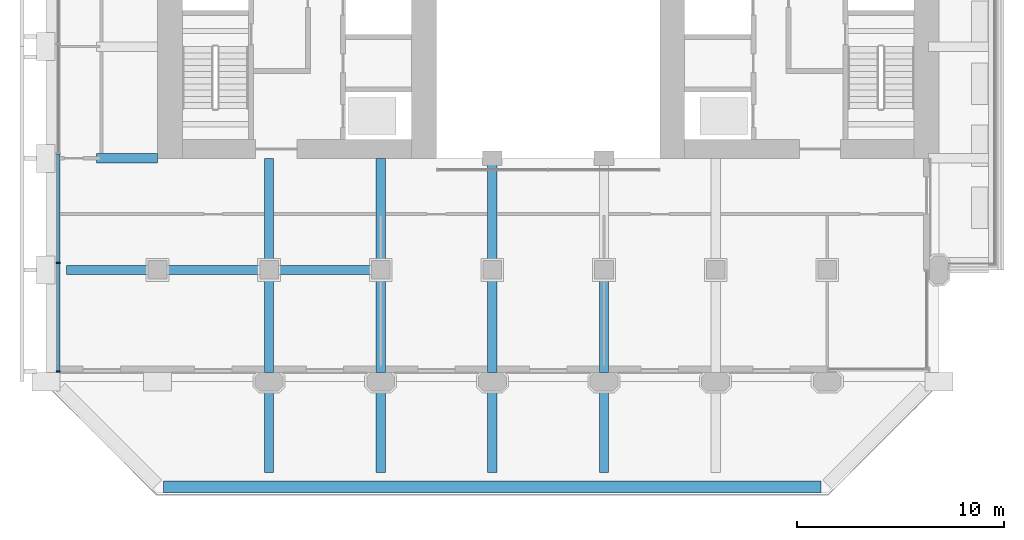
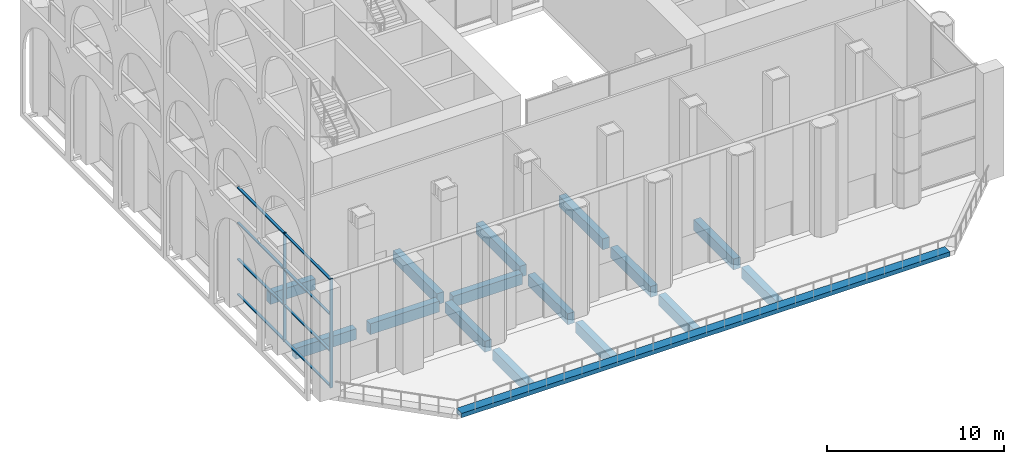
# One storey, part 2 of 20: 16 beams, 10 members, 1 element without a shape of its own.
"""IFC4 building model written with IfcOpenShell, lengths in metres."""

from ifc_helpers import new_model, si_unit, direction, frame, origin, origin_2d, place, context, subcontext, project, spatial, rectangle, extrude, material, material_profile, profile_set, type_object, element, aggregate, save


model = new_model("IFC4")

# Units and contexts
model_context = context("Model", 3, precision=1e-05, world=origin(), true_north=direction((0.0, 1.0)))
body_context = subcontext(model_context, "Body", "Model", "MODEL_VIEW")
ifc_project = project(units=[si_unit("LENGTHUNIT", "METRE"), si_unit("AREAUNIT", "SQUARE_METRE"), si_unit("VOLUMEUNIT", "CUBIC_METRE"), si_unit("PLANEANGLEUNIT", "RADIAN"), si_unit("MASSUNIT", "GRAM", prefix="KILO")], contexts=[model_context])

# Site, building, storey
site_placement = place(None, origin())
site = spatial("IfcSite", under=ifc_project, at=site_placement, CompositionType="ELEMENT")
building_placement = place(site_placement, origin())
building = spatial("IfcBuilding", under=site, at=building_placement, Name="Tabaq Tower and Sports Hall", CompositionType="ELEMENT")
storey_placement = place(building_placement, frame((0.0, 0.0, 130.60009765625)))
storey = spatial("IfcBuildingStorey", under=building, at=storey_placement, Name="L31", CompositionType="ELEMENT", Elevation=130.60009765625)

# Curtain wall, members
ifc_material_1 = material(Name="Aluminium alloy 6063-T6 framed glazing", Category="aluminium")
curtain_wall_type = type_object("IfcCurtainWallType", Name="CW2 curtain wall", PredefinedType="USERDEFINED", material=ifc_material_1)
curtain_wall_placement = place(storey_placement, origin())
curtain_wall = element("IfcCurtainWall", 1, at=curtain_wall_placement, inside=storey, type_object=curtain_wall_type, Name="Sky Lobby Wall L31 W", ObjectType="SKY LOBBY WALL", PredefinedType="USERDEFINED")
ifc_material_2 = material(Name="Aluminium alloy 6063-T6", Category="aluminium")
ifc_material_profile_1 = material_profile(ifc_material_2, rectangle(XDim=0.199951171875, YDim=0.070068359375, at=origin_2d()), Name="MULLION 200x70")
ifc_profile_set_1 = profile_set([ifc_material_profile_1], Name="Aluminium alloy 6063-T6")
member_type_1 = type_object("IfcMemberType", Name="CW2 mullion 200x70", PredefinedType="MULLION", material=ifc_profile_set_1)
member_1_placement = place(storey_placement, frame((0.60009765625, 11.14404296875, 0.0), z_axis=(0.0, 0.0, 1.0), x_axis=(1.0, 0.0, 0.0)))
member_1 = element("IfcMember", 2, at=member_1_placement, type_object=member_type_1, Name="CW2 mullion 6", PredefinedType="MULLION", context=body_context, shape_type="SweptSolid", body=[
    extrude(rectangle(XDim=0.199951171875, YDim=0.070068359375, at=origin_2d()), origin(), (0.0, 0.0, 1.0), 7.5),
])
member_2_placement = place(storey_placement, frame((0.60009765625, 5.885009765625, 0.0), z_axis=(0.0, 0.0, 1.0), x_axis=(1.0, 0.0, 0.0)))
member_2 = element("IfcMember", 3, at=member_2_placement, type_object=member_type_1, Name="CW2 mullion 7", PredefinedType="MULLION", context=body_context, shape_type="SweptSolid", body=[
    extrude(rectangle(XDim=0.199951171875, YDim=0.070068359375, at=origin_2d()), origin(), (0.0, 0.0, 1.0), 7.5),
])
ifc_material_3 = material(Name="Aluminium alloy 6063-T6", Category="aluminium")
ifc_material_profile_2 = material_profile(ifc_material_3, rectangle(XDim=0.159912109375, YDim=0.070068359375, at=origin_2d()), Name="TRANSOM 160x70")
ifc_profile_set_2 = profile_set([ifc_material_profile_2], Name="Aluminium alloy 6063-T6")
member_type_2 = type_object("IfcMemberType", Name="CW2 transom 160x70", PredefinedType="USERDEFINED", material=ifc_profile_set_2)
member_3_placement = place(storey_placement, frame((0.60009765625, 16.40283203125, 0.079833984375), z_axis=(0.0, -1.0, 0.0), x_axis=(1.0, 0.0, 0.0)))
member_3 = element("IfcMember", 4, at=member_3_placement, type_object=member_type_2, Name="CW2 transom 5.1", ObjectType="TRANSOM", PredefinedType="USERDEFINED", context=body_context, shape_type="SweptSolid", body=[
    extrude(rectangle(XDim=0.159912109375, YDim=0.070068359375, at=origin_2d()), origin(), (0.0, 0.0, 1.0), 5.223876953125),
])
member_4_placement = place(storey_placement, frame((0.60009765625, 16.40283203125, 2.5), z_axis=(0.0, -1.0, 0.0), x_axis=(1.0, 0.0, 0.0)))
member_4 = element("IfcMember", 5, at=member_4_placement, type_object=member_type_2, Name="CW2 transom 5.2", ObjectType="TRANSOM", PredefinedType="USERDEFINED", context=body_context, shape_type="SweptSolid", body=[
    extrude(rectangle(XDim=0.159912109375, YDim=0.070068359375, at=origin_2d()), origin(), (0.0, 0.0, 1.0), 5.223876953125),
])
member_5_placement = place(storey_placement, frame((0.60009765625, 16.40283203125, 5.0), z_axis=(0.0, -1.0, 0.0), x_axis=(1.0, 0.0, 0.0)))
member_5 = element("IfcMember", 6, at=member_5_placement, type_object=member_type_2, Name="CW2 transom 5.3", ObjectType="TRANSOM", PredefinedType="USERDEFINED", context=body_context, shape_type="SweptSolid", body=[
    extrude(rectangle(XDim=0.159912109375, YDim=0.070068359375, at=origin_2d()), origin(), (0.0, 0.0, 1.0), 5.223876953125),
])
member_6_placement = place(storey_placement, frame((0.60009765625, 16.40283203125, 7.419921875), z_axis=(0.0, -1.0, 0.0), x_axis=(1.0, 0.0, 0.0)))
member_6 = element("IfcMember", 7, at=member_6_placement, type_object=member_type_2, Name="CW2 transom 5.4", ObjectType="TRANSOM", PredefinedType="USERDEFINED", context=body_context, shape_type="SweptSolid", body=[
    extrude(rectangle(XDim=0.159912109375, YDim=0.070068359375, at=origin_2d()), origin(), (0.0, 0.0, 1.0), 5.223876953125),
])
member_7_placement = place(storey_placement, frame((0.60009765625, 11.10888671875, 0.079833984375), z_axis=(0.0, -1.0, 0.0), x_axis=(1.0, 0.0, 0.0)))
member_7 = element("IfcMember", 8, at=member_7_placement, type_object=member_type_2, Name="CW2 transom 6.1", ObjectType="TRANSOM", PredefinedType="USERDEFINED", context=body_context, shape_type="SweptSolid", body=[
    extrude(rectangle(XDim=0.159912109375, YDim=0.070068359375, at=origin_2d()), origin(), (0.0, 0.0, 1.0), 5.18896484375),
])
member_8_placement = place(storey_placement, frame((0.60009765625, 11.10888671875, 2.5), z_axis=(0.0, -1.0, 0.0), x_axis=(1.0, 0.0, 0.0)))
member_8 = element("IfcMember", 9, at=member_8_placement, type_object=member_type_2, Name="CW2 transom 6.2", ObjectType="TRANSOM", PredefinedType="USERDEFINED", context=body_context, shape_type="SweptSolid", body=[
    extrude(rectangle(XDim=0.159912109375, YDim=0.070068359375, at=origin_2d()), origin(), (0.0, 0.0, 1.0), 5.18896484375),
])
member_9_placement = place(storey_placement, frame((0.60009765625, 11.10888671875, 5.0), z_axis=(0.0, -1.0, 0.0), x_axis=(1.0, 0.0, 0.0)))
member_9 = element("IfcMember", 10, at=member_9_placement, type_object=member_type_2, Name="CW2 transom 6.3", ObjectType="TRANSOM", PredefinedType="USERDEFINED", context=body_context, shape_type="SweptSolid", body=[
    extrude(rectangle(XDim=0.159912109375, YDim=0.070068359375, at=origin_2d()), origin(), (0.0, 0.0, 1.0), 5.18896484375),
])
member_10_placement = place(storey_placement, frame((0.60009765625, 11.10888671875, 7.419921875), z_axis=(0.0, -1.0, 0.0), x_axis=(1.0, 0.0, 0.0)))
member_10 = element("IfcMember", 11, at=member_10_placement, type_object=member_type_2, Name="CW2 transom 6.4", ObjectType="TRANSOM", PredefinedType="USERDEFINED", context=body_context, shape_type="SweptSolid", body=[
    extrude(rectangle(XDim=0.159912109375, YDim=0.070068359375, at=origin_2d()), origin(), (0.0, 0.0, 1.0), 5.18896484375),
])
aggregate(curtain_wall, [member_1, member_2, member_3, member_4, member_5, member_6, member_7, member_8, member_9, member_10])

# Beams
ifc_material_4 = material(Name="Concrete C40/50", Category="concrete")
ifc_material_profile_3 = material_profile(ifc_material_4, rectangle(XDim=0.449951171875, YDim=0.75, at=origin_2d()), Name="CB 450x750")
ifc_profile_set_3 = profile_set([ifc_material_profile_3], Name="Concrete C40/50")
beam_type_1 = type_object("IfcBeamType", Name="PT CANTILEVER BEAM CB 450x750 C40/50", PredefinedType="BEAM", material=ifc_profile_set_3)
beam_1_placement = place(storey_placement, frame((1.0, 10.800048828125, -0.675048828125), z_axis=(1.0, 0.0, 0.0), x_axis=(0.0, 1.0, 0.0)))
element("IfcBeam", 12, at=beam_1_placement, inside=storey, type_object=beam_type_1, Name="Cantilever Beam L31 W2 span 1", PredefinedType="BEAM", context=body_context, shape_type="SweptSolid", body=[
    extrude(rectangle(XDim=0.449951171875, YDim=0.75, at=origin_2d()), origin(), (0.0, 0.0, 1.0), 3.949951171875),
])
for number, where, z_axis, x_axis, name in (
    (13, (5.85009765625, 10.800048828125, -0.675048828125), (1.0, 0.0, 0.0), (0.0, 1.0, 0.0), "Cantilever Beam L31 W2 span 2"),
    (14, (11.25, 10.800048828125, -0.675048828125), (1.0, 0.0, 0.0), (0.0, 1.0, 0.0), "Cantilever Beam L31 W2 span 3"),
):
    element("IfcBeam", number, at=place(storey_placement, frame(where, z_axis=z_axis, x_axis=x_axis)), inside=storey, type_object=beam_type_1, Name=name, PredefinedType="BEAM", context=body_context, shape_type="SweptSolid", body=[
        extrude(rectangle(XDim=0.449951171875, YDim=0.75, at=origin_2d()), origin(), (0.0, 0.0, 1.0), 4.5),
    ])
beam_2_placement = place(storey_placement, frame((2.449951171875, 16.199951171875, -0.675048828125), z_axis=(1.0, 0.0, 0.0), x_axis=(0.0, 1.0, 0.0)))
element("IfcBeam", 15, at=beam_2_placement, inside=storey, type_object=beam_type_1, Name="Cantilever Beam L31 W3 span 1", PredefinedType="BEAM", context=body_context, shape_type="SweptSolid", body=[
    extrude(rectangle(XDim=0.449951171875, YDim=0.75, at=origin_2d()), origin(), (0.0, 0.0, 1.0), 2.949951171875),
])
beam_3_placement = place(storey_placement, frame((10.800048828125, 1.0, -0.675048828125), z_axis=(0.0, 1.0, 0.0), x_axis=(-1.0, 0.0, 0.0)))
element("IfcBeam", 16, at=beam_3_placement, inside=storey, type_object=beam_type_1, Name="Cantilever Beam L31 S2 span 1", PredefinedType="BEAM", context=body_context, shape_type="SweptSolid", body=[
    extrude(rectangle(XDim=0.449951171875, YDim=0.75, at=origin_2d()), origin(), (0.0, 0.0, 1.0), 3.949951171875),
])
beam_4_placement = place(storey_placement, frame((10.800048828125, 5.85009765625, -0.675048828125), z_axis=(0.0, 1.0, 0.0), x_axis=(-1.0, 0.0, 0.0)))
element("IfcBeam", 17, at=beam_4_placement, inside=storey, type_object=beam_type_1, Name="Cantilever Beam L31 S2 span 2", PredefinedType="BEAM", context=body_context, shape_type="SweptSolid", body=[
    extrude(rectangle(XDim=0.449951171875, YDim=0.75, at=origin_2d()), origin(), (0.0, 0.0, 1.0), 4.5),
])
beam_5_placement = place(storey_placement, frame((10.800048828125, 11.25, -0.675048828125), z_axis=(0.0, 1.0, 0.0), x_axis=(-1.0, 0.0, 0.0)))
element("IfcBeam", 18, at=beam_5_placement, inside=storey, type_object=beam_type_1, Name="Cantilever Beam L31 S2 span 3", PredefinedType="BEAM", context=body_context, shape_type="SweptSolid", body=[
    extrude(rectangle(XDim=0.449951171875, YDim=0.75, at=origin_2d()), origin(), (0.0, 0.0, 1.0), 4.949951171875),
])
beam_6_placement = place(storey_placement, frame((16.199951171875, 1.0, -0.675048828125), z_axis=(0.0, 1.0, 0.0), x_axis=(-1.0, 0.0, 0.0)))
element("IfcBeam", 19, at=beam_6_placement, inside=storey, type_object=beam_type_1, Name="Cantilever Beam L31 S3 span 1", PredefinedType="BEAM", context=body_context, shape_type="SweptSolid", body=[
    extrude(rectangle(XDim=0.449951171875, YDim=0.75, at=origin_2d()), origin(), (0.0, 0.0, 1.0), 3.949951171875),
])
beam_7_placement = place(storey_placement, frame((16.199951171875, 5.85009765625, -0.675048828125), z_axis=(0.0, 1.0, 0.0), x_axis=(-1.0, 0.0, 0.0)))
element("IfcBeam", 20, at=beam_7_placement, inside=storey, type_object=beam_type_1, Name="Cantilever Beam L31 S3 span 2", PredefinedType="BEAM", context=body_context, shape_type="SweptSolid", body=[
    extrude(rectangle(XDim=0.449951171875, YDim=0.75, at=origin_2d()), origin(), (0.0, 0.0, 1.0), 4.5),
])
beam_8_placement = place(storey_placement, frame((16.199951171875, 11.25, -0.675048828125), z_axis=(0.0, 1.0, 0.0), x_axis=(-1.0, 0.0, 0.0)))
element("IfcBeam", 21, at=beam_8_placement, inside=storey, type_object=beam_type_1, Name="Cantilever Beam L31 S3 span 3", PredefinedType="BEAM", context=body_context, shape_type="SweptSolid", body=[
    extrude(rectangle(XDim=0.449951171875, YDim=0.75, at=origin_2d()), origin(), (0.0, 0.0, 1.0), 4.949951171875),
])
beam_9_placement = place(storey_placement, frame((21.60009765625, 1.0, -0.675048828125), z_axis=(0.0, 1.0, 0.0), x_axis=(-1.0, 0.0, 0.0)))
element("IfcBeam", 22, at=beam_9_placement, inside=storey, type_object=beam_type_1, Name="Cantilever Beam L31 S4 span 1", PredefinedType="BEAM", context=body_context, shape_type="SweptSolid", body=[
    extrude(rectangle(XDim=0.449951171875, YDim=0.75, at=origin_2d()), origin(), (0.0, 0.0, 1.0), 3.949951171875),
])
beam_10_placement = place(storey_placement, frame((21.60009765625, 5.85009765625, -0.675048828125), z_axis=(0.0, 1.0, 0.0), x_axis=(-1.0, 0.0, 0.0)))
element("IfcBeam", 23, at=beam_10_placement, inside=storey, type_object=beam_type_1, Name="Cantilever Beam L31 S4 span 2", PredefinedType="BEAM", context=body_context, shape_type="SweptSolid", body=[
    extrude(rectangle(XDim=0.449951171875, YDim=0.75, at=origin_2d()), origin(), (0.0, 0.0, 1.0), 4.5),
])
beam_11_placement = place(storey_placement, frame((21.60009765625, 11.25, -0.675048828125), z_axis=(0.0, 1.0, 0.0), x_axis=(-1.0, 0.0, 0.0)))
element("IfcBeam", 24, at=beam_11_placement, inside=storey, type_object=beam_type_1, Name="Cantilever Beam L31 S4 span 3", PredefinedType="BEAM", context=body_context, shape_type="SweptSolid", body=[
    extrude(rectangle(XDim=0.449951171875, YDim=0.75, at=origin_2d()), origin(), (0.0, 0.0, 1.0), 4.949951171875),
])
beam_12_placement = place(storey_placement, frame((27.0, 1.0, -0.675048828125), z_axis=(0.0, 1.0, 0.0), x_axis=(-1.0, 0.0, 0.0)))
element("IfcBeam", 25, at=beam_12_placement, inside=storey, type_object=beam_type_1, Name="Cantilever Beam L31 S5 span 1", PredefinedType="BEAM", context=body_context, shape_type="SweptSolid", body=[
    extrude(rectangle(XDim=0.449951171875, YDim=0.75, at=origin_2d()), origin(), (0.0, 0.0, 1.0), 3.949951171875),
])
beam_13_placement = place(storey_placement, frame((27.0, 5.85009765625, -0.675048828125), z_axis=(0.0, 1.0, 0.0), x_axis=(-1.0, 0.0, 0.0)))
element("IfcBeam", 26, at=beam_13_placement, inside=storey, type_object=beam_type_1, Name="Cantilever Beam L31 S5 span 2", PredefinedType="BEAM", context=body_context, shape_type="SweptSolid", body=[
    extrude(rectangle(XDim=0.449951171875, YDim=0.75, at=origin_2d()), origin(), (0.0, 0.0, 1.0), 4.5),
])
ifc_material_5 = material(Name="Concrete C40/50", Category="concrete")
ifc_material_profile_4 = material_profile(ifc_material_5, rectangle(XDim=0.60009765625, YDim=0.300048828125, at=origin_2d()), Name="EB 600x300")
ifc_profile_set_4 = profile_set([ifc_material_profile_4], Name="Concrete C40/50")
beam_type_2 = type_object("IfcBeamType", Name="PT EDGE BEAM EB 600x300 C40/50", PredefinedType="SPANDREL", material=ifc_profile_set_4)
beam_14_placement = place(storey_placement, frame((5.698486328125, 0.300048828125, -0.150146484375), z_axis=(1.0, 0.0, 0.0), x_axis=(0.0, 1.0, 0.0)))
element("IfcBeam", 27, at=beam_14_placement, inside=storey, type_object=beam_type_2, Name="Edge Beam L31 3", PredefinedType="SPANDREL", context=body_context, shape_type="SweptSolid", body=[
    extrude(rectangle(XDim=0.60009765625, YDim=0.300048828125, at=origin_2d()), origin(), (0.0, 0.0, 1.0), 31.802978515625),
])

save(model, "model.ifc")
